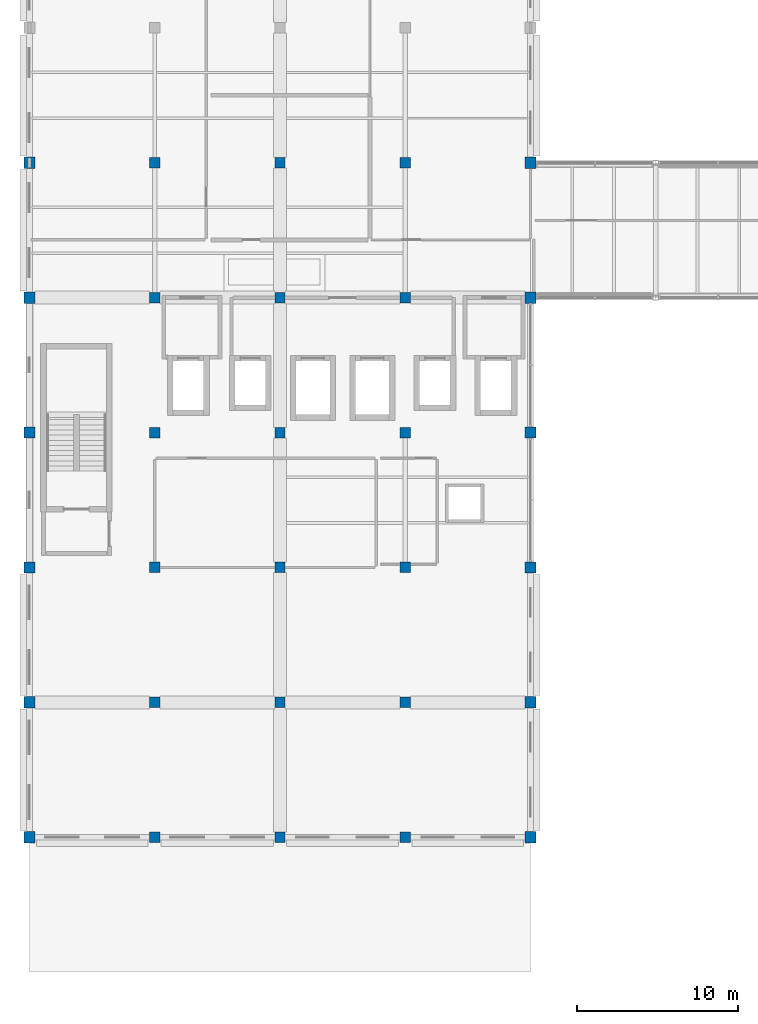
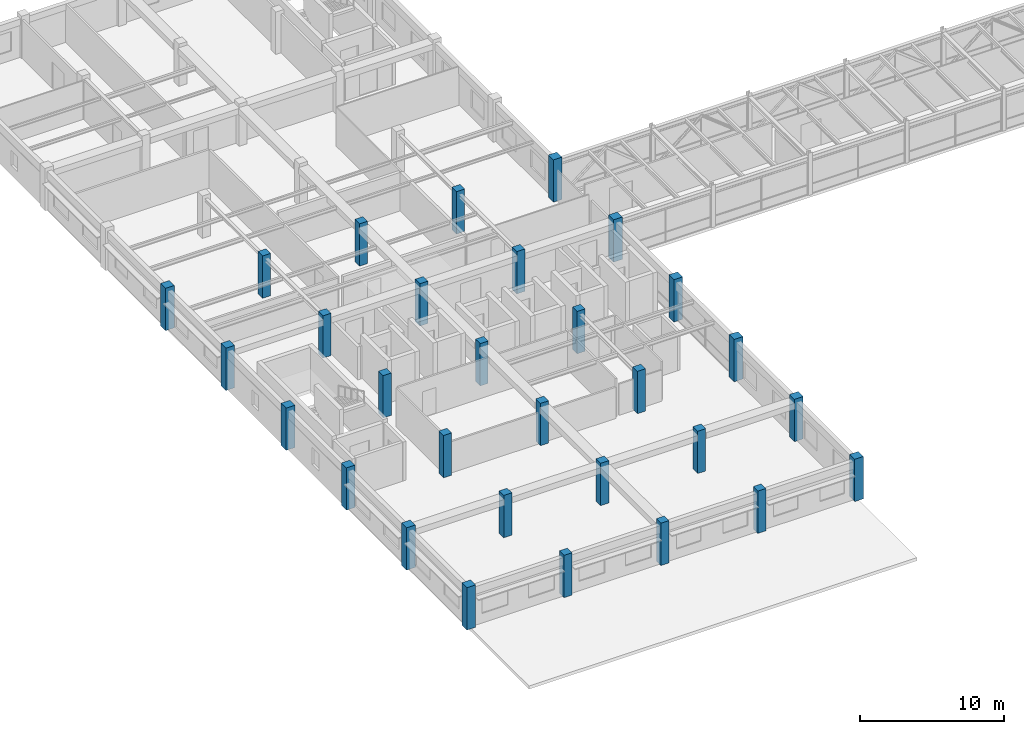
# One storey, part 1 of 49: 30 columns.
"""IFC4 building model written with IfcOpenShell, lengths in metres."""

import ifcopenshell
import ifcopenshell.guid

model = None  # the IFC model being written
_history = None  # IfcOwnerHistory: only IFC2X3 demands one
_inside = {}  # id of a spatial element -> (the spatial element, [elements in it])
_under = {}  # id of a project, library or spatial element -> (it, [spatial elements below it])
_declared = {}  # id of a project -> (the project, [libraries it declares])
_typed = {}  # id of a type object -> (the type object, [elements of that type])
_made_of = {}  # id of a material, layer set ... -> (it, [elements and type objects made of it])


def new_model(schema):
    """Start an empty IFC model of exactly this schema.

    Asked for "IFC4X3", IfcOpenShell would pick the latest addendum, in which some entities
    have other attributes; the version numbers below select the first issue.
    IFC2X3 requires an IfcOwnerHistory on every rooted entity: one is made here for all.
    """
    global model, _history
    if schema == "IFC4X3":
        model = ifcopenshell.file(schema_version=(4, 3, 0, 0))
    else:
        model = ifcopenshell.file(schema=schema)
    _inside.clear()
    _under.clear()
    _declared.clear()
    _typed.clear()
    _made_of.clear()
    _history = None
    if model.schema == "IFC2X3":
        org = make("IfcOrganization", Name="unknown")
        user = make(
            "IfcPersonAndOrganization",
            ThePerson=make("IfcPerson", FamilyName="unknown"),
            TheOrganization=org,
        )
        app = make(
            "IfcApplication",
            ApplicationDeveloper=org,
            Version="unknown",
            ApplicationFullName="unknown",
            ApplicationIdentifier="unknown",
        )
        _history = make(
            "IfcOwnerHistory",
            OwningUser=user,
            OwningApplication=app,
            ChangeAction="ADDED",
            CreationDate=0,
        )
    return model


def make(cls, **values):
    """One entity of the class cls with the attributes given. An attribute that is None is left unset."""
    return model.create_entity(
        cls, **{name: value for name, value in values.items() if value is not None}
    )


def rooted(cls, **values):
    """An entity with a GlobalId (a new one), such as an element, a storey or a relation."""
    return make(cls, GlobalId=ifcopenshell.guid.new(), OwnerHistory=_history, **values)


def si_unit(unit_type, name, prefix=None):
    """IfcSIUnit, for example si_unit("LENGTHUNIT", "METRE", prefix="MILLI")."""
    return make("IfcSIUnit", UnitType=unit_type, Prefix=prefix, Name=name)


def assignment(units):
    """IfcUnitAssignment: the units of a project."""
    return None if units is None else make("IfcUnitAssignment", Units=units)


def point(xyz):
    """IfcCartesianPoint."""
    return None if xyz is None else make("IfcCartesianPoint", Coordinates=xyz)


def direction(xyz):
    """IfcDirection."""
    return None if xyz is None else make("IfcDirection", DirectionRatios=xyz)


def frame(location, z_axis=None, x_axis=None):
    """IfcAxis2Placement3D, a coordinate frame: its origin and axes. An axis left out is left unset."""
    return make(
        "IfcAxis2Placement3D",
        Location=point(location),
        Axis=direction(z_axis),
        RefDirection=direction(x_axis),
    )


def frame_2d(location, x_axis=None):
    """IfcAxis2Placement2D, a coordinate frame in the plane: its origin and x axis."""
    return make(
        "IfcAxis2Placement2D", Location=point(location), RefDirection=direction(x_axis)
    )


def origin():
    """The frame at (0, 0, 0) with its axes left unset."""
    return frame((0.0, 0.0, 0.0))


def origin_2d():
    """The frame at (0, 0) in the plane with its x axis left unset."""
    return frame_2d((0.0, 0.0))


def place(relative_to, where):
    """IfcLocalPlacement: puts the frame where relative to a parent placement (None: the world)."""
    return make(
        "IfcLocalPlacement", PlacementRelTo=relative_to, RelativePlacement=where
    )


def context(
    kind, dimensions, precision=None, world=None, true_north=None, identifier=None
):
    """IfcGeometricRepresentationContext, for example the 3D "Model" context."""
    return make(
        "IfcGeometricRepresentationContext",
        ContextIdentifier=identifier,
        ContextType=kind,
        CoordinateSpaceDimension=dimensions,
        Precision=precision,
        WorldCoordinateSystem=world,
        TrueNorth=true_north,
    )


def subcontext(parent, identifier, kind, view, scale=None):
    """IfcGeometricRepresentationSubContext, for example "Body" below "Model"."""
    return make(
        "IfcGeometricRepresentationSubContext",
        ContextIdentifier=identifier,
        ContextType=kind,
        ParentContext=parent,
        TargetScale=scale,
        TargetView=view,
    )


def project(units=None, contexts=None):
    """IfcProject with its units and contexts."""
    return rooted(
        "IfcProject",
        Name="project",
        RepresentationContexts=contexts,
        UnitsInContext=assignment(units),
    )


def spatial(cls, under=None, at=None, **own):
    """A site, building, storey or space (cls), placed at a placement, below another one or the project."""
    s = rooted(cls, ObjectPlacement=at, **own)
    if under is not None:
        _under.setdefault(under.id(), (under, []))[1].append(s)
    return s


def profile(cls, at=None, kind="AREA", **sizes):
    """A parametric profile (cls). Its sizes go by their IFC names, for example OverallWidth=200.0."""
    return make(cls, ProfileType=kind, Position=at, **sizes)


def rectangle(**sizes):
    """IfcRectangleProfileDef."""
    return profile("IfcRectangleProfileDef", **sizes)


def extrude(swept, where, along, depth):
    """IfcExtrudedAreaSolid: the profile swept, set in the frame where, extruded along a direction by depth."""
    return make(
        "IfcExtrudedAreaSolid",
        SweptArea=swept,
        Position=where,
        ExtrudedDirection=direction(along),
        Depth=depth,
    )


def shape(context_of_items, identifier, shape_type, items):
    """IfcShapeRepresentation: the items that make up one representation, for example the "Body"."""
    return make(
        "IfcShapeRepresentation",
        ContextOfItems=context_of_items,
        RepresentationIdentifier=identifier,
        RepresentationType=shape_type,
        Items=items,
    )


def material(Name=None, Category=None):
    """IfcMaterial."""
    return make("IfcMaterial", Name=Name, Category=Category)


def material_profile(
    of_material, cross_section, Name=None, Category=None, Priority=None
):
    """IfcMaterialProfile: a cross section and its material."""
    return make(
        "IfcMaterialProfile",
        Name=Name,
        Material=of_material,
        Profile=cross_section,
        Priority=Priority,
        Category=Category,
    )


def profile_set(profiles, Name=None, composite=None):
    """IfcMaterialProfileSet."""
    return make(
        "IfcMaterialProfileSet",
        Name=Name,
        MaterialProfiles=profiles,
        CompositeProfile=composite,
    )


def made_of(thing, what):
    """Note that an element or type object is made of a material, layer set ...; save() writes the relation."""
    if what is not None:
        _made_of.setdefault(what.id(), (what, []))[1].append(thing)
    return thing


def type_object(cls, material=None, **own):
    """A type object (cls), such as IfcWallType, which elements share."""
    return made_of(rooted(cls, **own), material)


def element(
    cls,
    number,
    at=None,
    inside=None,
    cuts=None,
    type_object=None,
    material=None,
    context=None,
    identifier="Body",
    shape_type=None,
    held_by="IfcProductDefinitionShape",
    body=None,
    shapes=None,
    **own,
):
    """One element of the class cls, such as IfcWall. Its Tag is "e" and its number.

    at: its placement. inside: the storey or other place that contains it. cuts: it is an
    opening in that element (IfcRelVoidsElement). A single representation is given by context,
    identifier, shape_type and body (its items); several are given by shapes. held_by: the class
    of the entity that holds the representations. save() writes the other relations.
    """
    e = rooted(cls, Tag="e%d" % number, ObjectPlacement=at, **own)
    if body is not None:
        shapes = [shape(context, identifier, shape_type, body)]
    if shapes is not None:
        e.Representation = make(held_by, Representations=shapes)
    if inside is not None:
        _inside.setdefault(inside.id(), (inside, []))[1].append(e)
    if cuts is not None:
        rooted(
            "IfcRelVoidsElement", RelatingBuildingElement=cuts, RelatedOpeningElement=e
        )
    if type_object is not None:
        _typed.setdefault(type_object.id(), (type_object, []))[1].append(e)
    return made_of(e, material)


def aggregate(whole, parts):
    """IfcRelAggregates: a whole, such as a stair, and the parts it consists of."""
    return rooted("IfcRelAggregates", RelatingObject=whole, RelatedObjects=parts)


def save(model, path):
    """Write the relations noted so far, then the file.

    IfcRelAggregates (storeys below a building ...), IfcRelContainedInSpatialStructure (elements
    in a storey), IfcRelDefinesByType, IfcRelAssociatesMaterial and IfcRelDeclares: one each for
    every whole, place, type object, material and project.
    """
    for whole, parts in _under.values():
        aggregate(whole, parts)
    for where, things in _inside.values():
        rooted(
            "IfcRelContainedInSpatialStructure",
            RelatedElements=things,
            RelatingStructure=where,
        )
    for kind, things in _typed.values():
        rooted("IfcRelDefinesByType", RelatedObjects=things, RelatingType=kind)
    for what, things in _made_of.values():
        rooted("IfcRelAssociatesMaterial", RelatedObjects=things, RelatingMaterial=what)
    for by, libraries in _declared.values():
        rooted("IfcRelDeclares", RelatingContext=by, RelatedDefinitions=libraries)
    model.write(path)


model = new_model("IFC4")

# Units and contexts
model_context = context("Model", 3, precision=1e-05, world=origin(), true_north=direction((0.0, 1.0)))
body_context = subcontext(model_context, "Body", "Model", "MODEL_VIEW")
ifc_project = project(units=[si_unit("LENGTHUNIT", "METRE"), si_unit("AREAUNIT", "SQUARE_METRE"), si_unit("VOLUMEUNIT", "CUBIC_METRE"), si_unit("PLANEANGLEUNIT", "RADIAN"), si_unit("MASSUNIT", "GRAM", prefix="KILO"), si_unit("THERMODYNAMICTEMPERATUREUNIT", "KELVIN"), si_unit("POWERUNIT", "WATT")], contexts=[model_context])

# Site, building, storey
site_placement = place(None, origin())
site = spatial("IfcSite", under=ifc_project, at=site_placement, CompositionType="ELEMENT")
building_placement = place(site_placement, origin())
building = spatial("IfcBuilding", under=site, at=building_placement, Name="Srebrne Nadtorze General Hospital", CompositionType="ELEMENT")
storey_placement = place(building_placement, frame((0.0, 0.0, 26.10009765625)))
storey = spatial("IfcBuildingStorey", under=building, at=storey_placement, Name="L06", CompositionType="ELEMENT", Elevation=26.10009765625)

# Columns
ifc_material_1 = material(Name="Concrete C35/45", Category="concrete")
ifc_material_profile_1 = material_profile(ifc_material_1, rectangle(XDim=0.64990234375, YDim=0.64990234375, at=origin_2d()), Name="RC-COL-650x650")
ifc_profile_set_1 = profile_set([ifc_material_profile_1], Name="Concrete C35/45")
column_type_1 = type_object("IfcColumnType", Name="Reinforced concrete column 650x650", PredefinedType="COLUMN", material=ifc_profile_set_1)
for number, where, z_axis, x_axis, name in (
    (1, (31.199951171875, 16.800048828125, 0.0), (0.0, 0.0, 1.0), (1.0, 0.0, 0.0), "Column CL-L06-5-C"),
    (2, (31.199951171875, 25.199951171875, 0.0), (0.0, 0.0, 1.0), (1.0, 0.0, 0.0), "Column CL-L06-5-D"),
    (3, (31.199951171875, 33.60009765625, 0.0), (0.0, 0.0, 1.0), (1.0, 0.0, 0.0), "Column CL-L06-5-E"),
    (4, (31.199951171875, 42.0, 0.0), (0.0, 0.0, 1.0), (1.0, 0.0, 0.0), "Column CL-L06-5-F"),
    (5, (31.199951171875, 50.39990234375, 0.0), (0.0, 0.0, 1.0), (1.0, 0.0, 0.0), "Column CL-L06-5-G"),
    (6, (31.199951171875, 58.800048828125, 0.0), (0.0, 0.0, 1.0), (1.0, 0.0, 0.0), "Column CL-L06-5-H"),
    (7, (39.0, 16.800048828125, 0.0), (0.0, 0.0, 1.0), (1.0, 0.0, 0.0), "Column CL-L06-6-C"),
    (8, (39.0, 25.199951171875, 0.0), (0.0, 0.0, 1.0), (1.0, 0.0, 0.0), "Column CL-L06-6-D"),
    (9, (39.0, 33.60009765625, 0.0), (0.0, 0.0, 1.0), (1.0, 0.0, 0.0), "Column CL-L06-6-E"),
    (10, (39.0, 42.0, 0.0), (0.0, 0.0, 1.0), (1.0, 0.0, 0.0), "Column CL-L06-6-F"),
    (11, (39.0, 50.39990234375, 0.0), (0.0, 0.0, 1.0), (1.0, 0.0, 0.0), "Column CL-L06-6-G"),
    (12, (39.0, 58.800048828125, 0.0), (0.0, 0.0, 1.0), (1.0, 0.0, 0.0), "Column CL-L06-6-H"),
    (13, (46.800048828125, 16.800048828125, 0.0), (0.0, 0.0, 1.0), (1.0, 0.0, 0.0), "Column CL-L06-7-C"),
    (14, (46.800048828125, 25.199951171875, 0.0), (0.0, 0.0, 1.0), (1.0, 0.0, 0.0), "Column CL-L06-7-D"),
    (15, (46.800048828125, 33.60009765625, 0.0), (0.0, 0.0, 1.0), (1.0, 0.0, 0.0), "Column CL-L06-7-E"),
    (16, (46.800048828125, 42.0, 0.0), (0.0, 0.0, 1.0), (1.0, 0.0, 0.0), "Column CL-L06-7-F"),
    (17, (46.800048828125, 50.39990234375, 0.0), (0.0, 0.0, 1.0), (1.0, 0.0, 0.0), "Column CL-L06-7-G"),
    (18, (46.800048828125, 58.800048828125, 0.0), (0.0, 0.0, 1.0), (1.0, 0.0, 0.0), "Column CL-L06-7-H"),
):
    element("IfcColumn", number, at=place(storey_placement, frame(where, z_axis=z_axis, x_axis=x_axis)), inside=storey, type_object=column_type_1, Name=name, PredefinedType="COLUMN", context=body_context, shape_type="SweptSolid", body=[
        extrude(rectangle(XDim=0.64990234375, YDim=0.64990234375, at=origin_2d()), origin(), (0.0, 0.0, 1.0), 3.599853515625),
    ])
ifc_material_2 = material(Name="Concrete C40/50", Category="concrete")
ifc_material_profile_2 = material_profile(ifc_material_2, rectangle(XDim=0.699951171875, YDim=0.699951171875, at=origin_2d()), Name="RC-COL-700x700")
ifc_profile_set_2 = profile_set([ifc_material_profile_2], Name="Concrete C40/50")
column_type_2 = type_object("IfcColumnType", Name="Reinforced concrete column 700x700", PredefinedType="COLUMN", material=ifc_profile_set_2)
for number, where, z_axis, x_axis, name in (
    (19, (23.39990234375, 16.800048828125, 0.0), (0.0, 0.0, 1.0), (1.0, 0.0, 0.0), "Column CL-L06-4-C"),
    (20, (23.39990234375, 25.199951171875, 0.0), (0.0, 0.0, 1.0), (1.0, 0.0, 0.0), "Column CL-L06-4-D"),
    (21, (23.39990234375, 33.60009765625, 0.0), (0.0, 0.0, 1.0), (1.0, 0.0, 0.0), "Column CL-L06-4-E"),
    (22, (23.39990234375, 42.0, 0.0), (0.0, 0.0, 1.0), (1.0, 0.0, 0.0), "Column CL-L06-4-F"),
    (23, (23.39990234375, 50.39990234375, 0.0), (0.0, 0.0, 1.0), (1.0, 0.0, 0.0), "Column CL-L06-4-G"),
    (24, (23.39990234375, 58.800048828125, 0.0), (0.0, 0.0, 1.0), (1.0, 0.0, 0.0), "Column CL-L06-4-H"),
    (25, (54.60009765625, 16.800048828125, 0.0), (0.0, 0.0, 1.0), (1.0, 0.0, 0.0), "Column CL-L06-8-C"),
    (26, (54.60009765625, 25.199951171875, 0.0), (0.0, 0.0, 1.0), (1.0, 0.0, 0.0), "Column CL-L06-8-D"),
    (27, (54.60009765625, 33.60009765625, 0.0), (0.0, 0.0, 1.0), (1.0, 0.0, 0.0), "Column CL-L06-8-E"),
    (28, (54.60009765625, 42.0, 0.0), (0.0, 0.0, 1.0), (1.0, 0.0, 0.0), "Column CL-L06-8-F"),
    (29, (54.60009765625, 50.39990234375, 0.0), (0.0, 0.0, 1.0), (1.0, 0.0, 0.0), "Column CL-L06-8-G"),
    (30, (54.60009765625, 58.800048828125, 0.0), (0.0, 0.0, 1.0), (1.0, 0.0, 0.0), "Column CL-L06-8-H"),
):
    element("IfcColumn", number, at=place(storey_placement, frame(where, z_axis=z_axis, x_axis=x_axis)), inside=storey, type_object=column_type_2, Name=name, PredefinedType="COLUMN", context=body_context, shape_type="SweptSolid", body=[
        extrude(rectangle(XDim=0.699951171875, YDim=0.699951171875, at=origin_2d()), origin(), (0.0, 0.0, 1.0), 3.599853515625),
    ])

save(model, "model.ifc")
